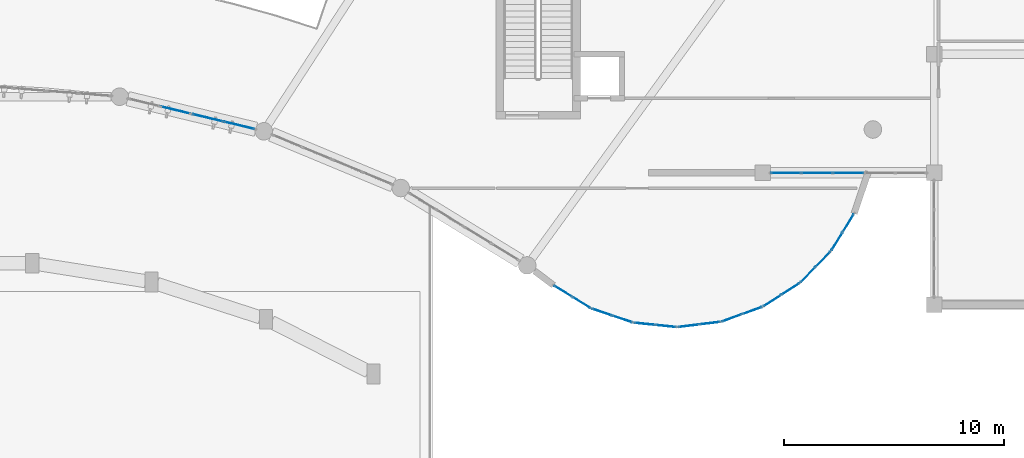
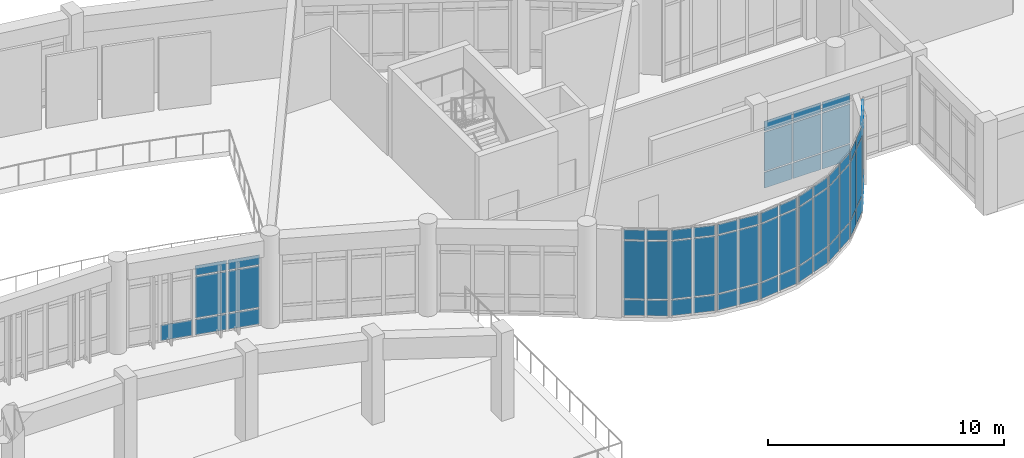
# One storey, part 41 of 65: 64 plates, 11 elements without a shape of their own.
"""IFC4 building model written with IfcOpenShell, lengths in metres."""

from ifc_helpers import new_model, si_unit, direction, frame, origin, origin_2d, place, context, subcontext, project, spatial, rectangle, extrude, material, layer, layer_set, type_object, element, aggregate, save


model = new_model("IFC4")

# Units and contexts
model_context = context("Model", 3, precision=1e-05, world=origin(), true_north=direction((0.0, 1.0)))
body_context = subcontext(model_context, "Body", "Model", "MODEL_VIEW")
ifc_project = project(units=[si_unit("LENGTHUNIT", "METRE"), si_unit("AREAUNIT", "SQUARE_METRE"), si_unit("VOLUMEUNIT", "CUBIC_METRE"), si_unit("PLANEANGLEUNIT", "RADIAN"), si_unit("MASSUNIT", "GRAM", prefix="KILO")], contexts=[model_context])

# Site, building, storey
site_placement = place(None, origin())
site = spatial("IfcSite", under=ifc_project, at=site_placement, CompositionType="ELEMENT")
building_placement = place(site_placement, origin())
building = spatial("IfcBuilding", under=site, at=building_placement, Name="Miralva Faculty of Natural Sciences", CompositionType="ELEMENT")
storey_placement = place(building_placement, frame((0.0, 0.0, 10.199951171875)))
storey = spatial("IfcBuildingStorey", under=building, at=storey_placement, Name="L02", CompositionType="ELEMENT", Elevation=10.199951171875)

# Curtain wall, plate
ifc_material = material(Name="Laminated solar-control glass", Category="glass")
ifc_layer_1 = layer(ifc_material, 0.179931640625, Name="CW-ARC-L01")
ifc_layer_set_1 = layer_set([ifc_layer_1], Name="Laminated solar-control glass")
curtain_wall_type_1 = type_object("IfcCurtainWallType", Name="CW-ARC-L01", PredefinedType="USERDEFINED", material=ifc_layer_set_1)
curtain_wall_1_placement = place(storey_placement, origin())
curtain_wall_1 = element("IfcCurtainWall", 1, at=curtain_wall_1_placement, inside=storey, type_object=curtain_wall_type_1, Name="Curtain wall CW-02 L02-71", ObjectType="UNITISED CURTAIN WALL", PredefinedType="USERDEFINED")
ifc_layer_2 = layer(ifc_material, 0.028076171875, Name="PNL-P01")
ifc_layer_set_2 = layer_set([ifc_layer_2], Name="Laminated solar-control glass")
plate_type = type_object("IfcPlateType", Name="PNL-P01", PredefinedType="CURTAIN_PANEL", material=ifc_layer_set_2)
plate_1_placement = place(storey_placement, frame((99.267333984375, 20.860595703125, 0.06494140625), z_axis=(0.0, 0.0, 1.0), x_axis=(0.972367185898, -0.233456753574, 0.0)))
plate_1 = element("IfcPlate", 2, at=plate_1_placement, type_object=plate_type, Name="CW-02 panel 2.1", PredefinedType="CURTAIN_PANEL", context=body_context, shape_type="SweptSolid", body=[
    extrude(rectangle(XDim=1.391845703125, YDim=0.028076171875, at=origin_2d()), origin(), (0.0, 0.0, 1.0), 0.802490234375),
])
aggregate(curtain_wall_1, [plate_1])

# Curtain wall, plates
curtain_wall_2_placement = place(storey_placement, origin())
curtain_wall_2 = element("IfcCurtainWall", 3, at=curtain_wall_2_placement, inside=storey, type_object=curtain_wall_type_1, Name="Curtain wall CW-02 L02-72", ObjectType="UNITISED CURTAIN WALL", PredefinedType="USERDEFINED")
plate_2_placement = place(storey_placement, frame((100.743408203125, 20.50634765625, 0.06494140625), z_axis=(0.0, 0.0, 1.0), x_axis=(0.972365393914, -0.233464217213, 0.0)))
plate_2 = element("IfcPlate", 4, at=plate_2_placement, type_object=plate_type, Name="CW-02 panel 1.1", PredefinedType="CURTAIN_PANEL", context=body_context, shape_type="SweptSolid", body=[
    extrude(rectangle(XDim=1.394287109375, YDim=0.028076171875, at=origin_2d()), origin(), (0.0, 0.0, 1.0), 0.802490234375),
])
plate_3_placement = place(storey_placement, frame((100.743408203125, 20.50634765625, 0.9326171875), z_axis=(0.0, 0.0, 1.0), x_axis=(0.972365393914, -0.233464217213, 0.0)))
plate_3 = element("IfcPlate", 5, at=plate_3_placement, type_object=plate_type, Name="CW-02 panel 1.2", PredefinedType="CURTAIN_PANEL", context=body_context, shape_type="SweptSolid", body=[
    extrude(rectangle(XDim=1.394287109375, YDim=0.028076171875, at=origin_2d()), origin(), (0.0, 0.0, 1.0), 2.139892578125),
])
plate_4_placement = place(storey_placement, frame((100.743408203125, 20.50634765625, 3.1376953125), z_axis=(0.0, 0.0, 1.0), x_axis=(0.972365393914, -0.233464217213, 0.0)))
plate_4 = element("IfcPlate", 6, at=plate_4_placement, type_object=plate_type, Name="CW-02 panel 1.3", PredefinedType="CURTAIN_PANEL", context=body_context, shape_type="SweptSolid", body=[
    extrude(rectangle(XDim=1.394287109375, YDim=0.028076171875, at=origin_2d()), origin(), (0.0, 0.0, 1.0), 0.50244140625),
])
plate_5_placement = place(storey_placement, frame((102.162353515625, 20.16552734375, 0.06494140625), z_axis=(0.0, 0.0, 1.0), x_axis=(0.972365393914, -0.233464217213, 0.0)))
plate_5 = element("IfcPlate", 7, at=plate_5_placement, type_object=plate_type, Name="CW-02 panel 2.1", PredefinedType="CURTAIN_PANEL", context=body_context, shape_type="SweptSolid", body=[
    extrude(rectangle(XDim=1.394287109375, YDim=0.028076171875, at=origin_2d()), origin(), (0.0, 0.0, 1.0), 0.802490234375),
])
plate_6_placement = place(storey_placement, frame((102.162353515625, 20.16552734375, 0.9326171875), z_axis=(0.0, 0.0, 1.0), x_axis=(0.972365393914, -0.233464217213, 0.0)))
plate_6 = element("IfcPlate", 8, at=plate_6_placement, type_object=plate_type, Name="CW-02 panel 2.2", PredefinedType="CURTAIN_PANEL", context=body_context, shape_type="SweptSolid", body=[
    extrude(rectangle(XDim=1.394287109375, YDim=0.028076171875, at=origin_2d()), origin(), (0.0, 0.0, 1.0), 2.139892578125),
])
plate_7_placement = place(storey_placement, frame((102.162353515625, 20.16552734375, 3.1376953125), z_axis=(0.0, 0.0, 1.0), x_axis=(0.972365393914, -0.233464217213, 0.0)))
plate_7 = element("IfcPlate", 9, at=plate_7_placement, type_object=plate_type, Name="CW-02 panel 2.3", PredefinedType="CURTAIN_PANEL", context=body_context, shape_type="SweptSolid", body=[
    extrude(rectangle(XDim=1.394287109375, YDim=0.028076171875, at=origin_2d()), origin(), (0.0, 0.0, 1.0), 0.50244140625),
])
aggregate(curtain_wall_2, [plate_2, plate_3, plate_4, plate_5, plate_6, plate_7])

ifc_layer_3 = layer(ifc_material, 0.179931640625, Name="CW-RND-L01")
ifc_layer_set_3 = layer_set([ifc_layer_3], Name="Laminated solar-control glass")
curtain_wall_type_2 = type_object("IfcCurtainWallType", Name="CW-RND-L01", PredefinedType="USERDEFINED", material=ifc_layer_set_3)
curtain_wall_3_placement = place(storey_placement, origin())
curtain_wall_3 = element("IfcCurtainWall", 10, at=curtain_wall_3_placement, inside=storey, type_object=curtain_wall_type_2, Name="Curtain wall CW-05 L02-101", ObjectType="UNITISED CURTAIN WALL", PredefinedType="USERDEFINED")
plate_8_placement = place(storey_placement, frame((129.37939453125, 14.8798828125, 0.06005859375), z_axis=(0.0, 0.0, 1.0), x_axis=(0.523550543884, 0.851994617353, 0.0)))
plate_8 = element("IfcPlate", 11, at=plate_8_placement, type_object=plate_type, Name="CW-05 panel 1.1", PredefinedType="CURTAIN_PANEL", context=body_context, shape_type="SweptSolid", body=[
    extrude(rectangle(XDim=0.91259765625, YDim=0.028076171875, at=origin_2d()), origin(), (0.0, 0.0, 1.0), 0.81005859375),
])
plate_9_placement = place(storey_placement, frame((129.37939453125, 14.8798828125, 0.93017578125), z_axis=(0.0, 0.0, 1.0), x_axis=(0.523550543884, 0.851994617353, 0.0)))
plate_9 = element("IfcPlate", 12, at=plate_9_placement, type_object=plate_type, Name="CW-05 panel 1.2", PredefinedType="CURTAIN_PANEL", context=body_context, shape_type="SweptSolid", body=[
    extrude(rectangle(XDim=0.91259765625, YDim=0.028076171875, at=origin_2d()), origin(), (0.0, 0.0, 1.0), 2.989990234375),
])
plate_10_placement = place(storey_placement, frame((129.37939453125, 14.8798828125, 3.97998046875), z_axis=(0.0, 0.0, 1.0), x_axis=(0.523550543884, 0.851994617353, 0.0)))
plate_10 = element("IfcPlate", 13, at=plate_10_placement, type_object=plate_type, Name="CW-05 panel 1.3", PredefinedType="CURTAIN_PANEL", context=body_context, shape_type="SweptSolid", body=[
    extrude(rectangle(XDim=0.91259765625, YDim=0.028076171875, at=origin_2d()), origin(), (0.0, 0.0, 1.0), 0.510009765625),
])
plate_11_placement = place(storey_placement, frame((129.891357421875, 15.712890625, 0.06005859375), z_axis=(0.0, 0.0, 1.0), x_axis=(0.523550543884, 0.851994617353, 0.0)))
plate_11 = element("IfcPlate", 14, at=plate_11_placement, type_object=plate_type, Name="CW-05 panel 2.1", PredefinedType="CURTAIN_PANEL", context=body_context, shape_type="SweptSolid", body=[
    extrude(rectangle(XDim=0.91259765625, YDim=0.028076171875, at=origin_2d()), origin(), (0.0, 0.0, 1.0), 0.81005859375),
])
plate_12_placement = place(storey_placement, frame((129.891357421875, 15.712890625, 0.93017578125), z_axis=(0.0, 0.0, 1.0), x_axis=(0.523550543884, 0.851994617353, 0.0)))
plate_12 = element("IfcPlate", 15, at=plate_12_placement, type_object=plate_type, Name="CW-05 panel 2.2", PredefinedType="CURTAIN_PANEL", context=body_context, shape_type="SweptSolid", body=[
    extrude(rectangle(XDim=0.91259765625, YDim=0.028076171875, at=origin_2d()), origin(), (0.0, 0.0, 1.0), 2.989990234375),
])
plate_13_placement = place(storey_placement, frame((129.891357421875, 15.712890625, 3.97998046875), z_axis=(0.0, 0.0, 1.0), x_axis=(0.523550543884, 0.851994617353, 0.0)))
plate_13 = element("IfcPlate", 16, at=plate_13_placement, type_object=plate_type, Name="CW-05 panel 2.3", PredefinedType="CURTAIN_PANEL", context=body_context, shape_type="SweptSolid", body=[
    extrude(rectangle(XDim=0.91259765625, YDim=0.028076171875, at=origin_2d()), origin(), (0.0, 0.0, 1.0), 0.510009765625),
])
aggregate(curtain_wall_3, [plate_8, plate_9, plate_10, plate_11, plate_12, plate_13])

curtain_wall_4_placement = place(storey_placement, origin())
curtain_wall_4 = element("IfcCurtainWall", 17, at=curtain_wall_4_placement, inside=storey, type_object=curtain_wall_type_2, Name="Curtain wall CW-05 L02-102", ObjectType="UNITISED CURTAIN WALL", PredefinedType="USERDEFINED")
plate_14_placement = place(storey_placement, frame((128.060546875, 13.36865234375, 0.06005859375), z_axis=(0.0, 0.0, 1.0), x_axis=(0.700018458929, 0.714124749017, 0.0)))
plate_14 = element("IfcPlate", 18, at=plate_14_placement, type_object=plate_type, Name="CW-05 panel 1.1", PredefinedType="CURTAIN_PANEL", context=body_context, shape_type="SweptSolid", body=[
    extrude(rectangle(XDim=0.91259765625, YDim=0.028076171875, at=origin_2d()), origin(), (0.0, 0.0, 1.0), 0.81005859375),
])
plate_15_placement = place(storey_placement, frame((128.060546875, 13.36865234375, 0.93017578125), z_axis=(0.0, 0.0, 1.0), x_axis=(0.700018458929, 0.714124749017, 0.0)))
plate_15 = element("IfcPlate", 19, at=plate_15_placement, type_object=plate_type, Name="CW-05 panel 1.2", PredefinedType="CURTAIN_PANEL", context=body_context, shape_type="SweptSolid", body=[
    extrude(rectangle(XDim=0.91259765625, YDim=0.028076171875, at=origin_2d()), origin(), (0.0, 0.0, 1.0), 2.989990234375),
])
plate_16_placement = place(storey_placement, frame((128.060546875, 13.36865234375, 3.97998046875), z_axis=(0.0, 0.0, 1.0), x_axis=(0.700018458929, 0.714124749017, 0.0)))
plate_16 = element("IfcPlate", 20, at=plate_16_placement, type_object=plate_type, Name="CW-05 panel 1.3", PredefinedType="CURTAIN_PANEL", context=body_context, shape_type="SweptSolid", body=[
    extrude(rectangle(XDim=0.91259765625, YDim=0.028076171875, at=origin_2d()), origin(), (0.0, 0.0, 1.0), 0.510009765625),
])
plate_17_placement = place(storey_placement, frame((128.7451171875, 14.06689453125, 0.06005859375), z_axis=(0.0, 0.0, 1.0), x_axis=(0.700018458929, 0.714124749017, 0.0)))
plate_17 = element("IfcPlate", 21, at=plate_17_placement, type_object=plate_type, Name="CW-05 panel 2.1", PredefinedType="CURTAIN_PANEL", context=body_context, shape_type="SweptSolid", body=[
    extrude(rectangle(XDim=0.91259765625, YDim=0.028076171875, at=origin_2d()), origin(), (0.0, 0.0, 1.0), 0.81005859375),
])
plate_18_placement = place(storey_placement, frame((128.7451171875, 14.06689453125, 0.93017578125), z_axis=(0.0, 0.0, 1.0), x_axis=(0.700018458929, 0.714124749017, 0.0)))
plate_18 = element("IfcPlate", 22, at=plate_18_placement, type_object=plate_type, Name="CW-05 panel 2.2", PredefinedType="CURTAIN_PANEL", context=body_context, shape_type="SweptSolid", body=[
    extrude(rectangle(XDim=0.91259765625, YDim=0.028076171875, at=origin_2d()), origin(), (0.0, 0.0, 1.0), 2.989990234375),
])
plate_19_placement = place(storey_placement, frame((128.7451171875, 14.06689453125, 3.97998046875), z_axis=(0.0, 0.0, 1.0), x_axis=(0.700018458929, 0.714124749017, 0.0)))
plate_19 = element("IfcPlate", 23, at=plate_19_placement, type_object=plate_type, Name="CW-05 panel 2.3", PredefinedType="CURTAIN_PANEL", context=body_context, shape_type="SweptSolid", body=[
    extrude(rectangle(XDim=0.91259765625, YDim=0.028076171875, at=origin_2d()), origin(), (0.0, 0.0, 1.0), 0.510009765625),
])
aggregate(curtain_wall_4, [plate_14, plate_15, plate_16, plate_17, plate_18, plate_19])

curtain_wall_5_placement = place(storey_placement, origin())
curtain_wall_5 = element("IfcCurtainWall", 24, at=curtain_wall_5_placement, inside=storey, type_object=curtain_wall_type_2, Name="Curtain wall CW-05 L02-103", ObjectType="UNITISED CURTAIN WALL", PredefinedType="USERDEFINED")
plate_20_placement = place(storey_placement, frame((126.438720703125, 12.18896484375, 0.06005859375), z_axis=(0.0, 0.0, 1.0), x_axis=(0.841379438185, 0.540444854725, 0.0)))
plate_20 = element("IfcPlate", 25, at=plate_20_placement, type_object=plate_type, Name="CW-05 panel 1.1", PredefinedType="CURTAIN_PANEL", context=body_context, shape_type="SweptSolid", body=[
    extrude(rectangle(XDim=0.91259765625, YDim=0.028076171875, at=origin_2d()), origin(), (0.0, 0.0, 1.0), 0.81005859375),
])
plate_21_placement = place(storey_placement, frame((126.438720703125, 12.18896484375, 0.93017578125), z_axis=(0.0, 0.0, 1.0), x_axis=(0.841379438185, 0.540444854725, 0.0)))
plate_21 = element("IfcPlate", 26, at=plate_21_placement, type_object=plate_type, Name="CW-05 panel 1.2", PredefinedType="CURTAIN_PANEL", context=body_context, shape_type="SweptSolid", body=[
    extrude(rectangle(XDim=0.91259765625, YDim=0.028076171875, at=origin_2d()), origin(), (0.0, 0.0, 1.0), 2.989990234375),
])
plate_22_placement = place(storey_placement, frame((126.438720703125, 12.18896484375, 3.97998046875), z_axis=(0.0, 0.0, 1.0), x_axis=(0.841379438185, 0.540444854725, 0.0)))
plate_22 = element("IfcPlate", 27, at=plate_22_placement, type_object=plate_type, Name="CW-05 panel 1.3", PredefinedType="CURTAIN_PANEL", context=body_context, shape_type="SweptSolid", body=[
    extrude(rectangle(XDim=0.91259765625, YDim=0.028076171875, at=origin_2d()), origin(), (0.0, 0.0, 1.0), 0.510009765625),
])
plate_23_placement = place(storey_placement, frame((127.26123046875, 12.71728515625, 0.06005859375), z_axis=(0.0, 0.0, 1.0), x_axis=(0.841379438185, 0.540444854725, 0.0)))
plate_23 = element("IfcPlate", 28, at=plate_23_placement, type_object=plate_type, Name="CW-05 panel 2.1", PredefinedType="CURTAIN_PANEL", context=body_context, shape_type="SweptSolid", body=[
    extrude(rectangle(XDim=0.91259765625, YDim=0.028076171875, at=origin_2d()), origin(), (0.0, 0.0, 1.0), 0.81005859375),
])
plate_24_placement = place(storey_placement, frame((127.26123046875, 12.71728515625, 0.93017578125), z_axis=(0.0, 0.0, 1.0), x_axis=(0.841379438185, 0.540444854725, 0.0)))
plate_24 = element("IfcPlate", 29, at=plate_24_placement, type_object=plate_type, Name="CW-05 panel 2.2", PredefinedType="CURTAIN_PANEL", context=body_context, shape_type="SweptSolid", body=[
    extrude(rectangle(XDim=0.91259765625, YDim=0.028076171875, at=origin_2d()), origin(), (0.0, 0.0, 1.0), 2.989990234375),
])
plate_25_placement = place(storey_placement, frame((127.26123046875, 12.71728515625, 3.97998046875), z_axis=(0.0, 0.0, 1.0), x_axis=(0.841379438185, 0.540444854725, 0.0)))
plate_25 = element("IfcPlate", 30, at=plate_25_placement, type_object=plate_type, Name="CW-05 panel 2.3", PredefinedType="CURTAIN_PANEL", context=body_context, shape_type="SweptSolid", body=[
    extrude(rectangle(XDim=0.91259765625, YDim=0.028076171875, at=origin_2d()), origin(), (0.0, 0.0, 1.0), 0.510009765625),
])
aggregate(curtain_wall_5, [plate_20, plate_21, plate_22, plate_23, plate_24, plate_25])

curtain_wall_6_placement = place(storey_placement, origin())
curtain_wall_6 = element("IfcCurtainWall", 31, at=curtain_wall_6_placement, inside=storey, type_object=curtain_wall_type_2, Name="Curtain wall CW-05 L02-104", ObjectType="UNITISED CURTAIN WALL", PredefinedType="USERDEFINED")
plate_26_placement = place(storey_placement, frame((124.5947265625, 11.399658203125, 0.06005859375), z_axis=(0.0, 0.0, 1.0), x_axis=(0.940535451088, 0.339695547876, 0.0)))
plate_26 = element("IfcPlate", 32, at=plate_26_placement, type_object=plate_type, Name="CW-05 panel 1.1", PredefinedType="CURTAIN_PANEL", context=body_context, shape_type="SweptSolid", body=[
    extrude(rectangle(XDim=0.91259765625, YDim=0.028076171875, at=origin_2d()), origin(), (0.0, 0.0, 1.0), 0.81005859375),
])
plate_27_placement = place(storey_placement, frame((124.5947265625, 11.399658203125, 0.93017578125), z_axis=(0.0, 0.0, 1.0), x_axis=(0.940535451088, 0.339695547876, 0.0)))
plate_27 = element("IfcPlate", 33, at=plate_27_placement, type_object=plate_type, Name="CW-05 panel 1.2", PredefinedType="CURTAIN_PANEL", context=body_context, shape_type="SweptSolid", body=[
    extrude(rectangle(XDim=0.91259765625, YDim=0.028076171875, at=origin_2d()), origin(), (0.0, 0.0, 1.0), 2.989990234375),
])
plate_28_placement = place(storey_placement, frame((124.5947265625, 11.399658203125, 3.97998046875), z_axis=(0.0, 0.0, 1.0), x_axis=(0.940535451088, 0.339695547876, 0.0)))
plate_28 = element("IfcPlate", 34, at=plate_28_placement, type_object=plate_type, Name="CW-05 panel 1.3", PredefinedType="CURTAIN_PANEL", context=body_context, shape_type="SweptSolid", body=[
    extrude(rectangle(XDim=0.91259765625, YDim=0.028076171875, at=origin_2d()), origin(), (0.0, 0.0, 1.0), 0.510009765625),
])
plate_29_placement = place(storey_placement, frame((125.514404296875, 11.731689453125, 0.06005859375), z_axis=(0.0, 0.0, 1.0), x_axis=(0.940535451088, 0.339695547876, 0.0)))
plate_29 = element("IfcPlate", 35, at=plate_29_placement, type_object=plate_type, Name="CW-05 panel 2.1", PredefinedType="CURTAIN_PANEL", context=body_context, shape_type="SweptSolid", body=[
    extrude(rectangle(XDim=0.91259765625, YDim=0.028076171875, at=origin_2d()), origin(), (0.0, 0.0, 1.0), 0.81005859375),
])
plate_30_placement = place(storey_placement, frame((125.514404296875, 11.731689453125, 0.93017578125), z_axis=(0.0, 0.0, 1.0), x_axis=(0.940535451088, 0.339695547876, 0.0)))
plate_30 = element("IfcPlate", 36, at=plate_30_placement, type_object=plate_type, Name="CW-05 panel 2.2", PredefinedType="CURTAIN_PANEL", context=body_context, shape_type="SweptSolid", body=[
    extrude(rectangle(XDim=0.91259765625, YDim=0.028076171875, at=origin_2d()), origin(), (0.0, 0.0, 1.0), 2.989990234375),
])
plate_31_placement = place(storey_placement, frame((125.514404296875, 11.731689453125, 3.97998046875), z_axis=(0.0, 0.0, 1.0), x_axis=(0.940535451088, 0.339695547876, 0.0)))
plate_31 = element("IfcPlate", 37, at=plate_31_placement, type_object=plate_type, Name="CW-05 panel 2.3", PredefinedType="CURTAIN_PANEL", context=body_context, shape_type="SweptSolid", body=[
    extrude(rectangle(XDim=0.91259765625, YDim=0.028076171875, at=origin_2d()), origin(), (0.0, 0.0, 1.0), 0.510009765625),
])
aggregate(curtain_wall_6, [plate_26, plate_27, plate_28, plate_29, plate_30, plate_31])

curtain_wall_7_placement = place(storey_placement, origin())
curtain_wall_7 = element("IfcCurtainWall", 38, at=curtain_wall_7_placement, inside=storey, type_object=curtain_wall_type_2, Name="Curtain wall CW-05 L02-105", ObjectType="UNITISED CURTAIN WALL", PredefinedType="USERDEFINED")
plate_32_placement = place(storey_placement, frame((122.62158203125, 11.04052734375, 0.06005859375), z_axis=(0.0, 0.0, 1.0), x_axis=(0.99254734183, 0.121859649701, 0.0)))
plate_32 = element("IfcPlate", 39, at=plate_32_placement, type_object=plate_type, Name="CW-05 panel 1.1", PredefinedType="CURTAIN_PANEL", context=body_context, shape_type="SweptSolid", body=[
    extrude(rectangle(XDim=0.91259765625, YDim=0.028076171875, at=origin_2d()), origin(), (0.0, 0.0, 1.0), 0.81005859375),
])
plate_33_placement = place(storey_placement, frame((122.62158203125, 11.04052734375, 0.93017578125), z_axis=(0.0, 0.0, 1.0), x_axis=(0.99254734183, 0.121859649701, 0.0)))
plate_33 = element("IfcPlate", 40, at=plate_33_placement, type_object=plate_type, Name="CW-05 panel 1.2", PredefinedType="CURTAIN_PANEL", context=body_context, shape_type="SweptSolid", body=[
    extrude(rectangle(XDim=0.91259765625, YDim=0.028076171875, at=origin_2d()), origin(), (0.0, 0.0, 1.0), 2.989990234375),
])
plate_34_placement = place(storey_placement, frame((122.62158203125, 11.04052734375, 3.97998046875), z_axis=(0.0, 0.0, 1.0), x_axis=(0.99254734183, 0.121859649701, 0.0)))
plate_34 = element("IfcPlate", 41, at=plate_34_placement, type_object=plate_type, Name="CW-05 panel 1.3", PredefinedType="CURTAIN_PANEL", context=body_context, shape_type="SweptSolid", body=[
    extrude(rectangle(XDim=0.91259765625, YDim=0.028076171875, at=origin_2d()), origin(), (0.0, 0.0, 1.0), 0.510009765625),
])
plate_35_placement = place(storey_placement, frame((123.592041015625, 11.15966796875, 0.06005859375), z_axis=(0.0, 0.0, 1.0), x_axis=(0.99254734183, 0.121859649701, 0.0)))
plate_35 = element("IfcPlate", 42, at=plate_35_placement, type_object=plate_type, Name="CW-05 panel 2.1", PredefinedType="CURTAIN_PANEL", context=body_context, shape_type="SweptSolid", body=[
    extrude(rectangle(XDim=0.91259765625, YDim=0.028076171875, at=origin_2d()), origin(), (0.0, 0.0, 1.0), 0.81005859375),
])
plate_36_placement = place(storey_placement, frame((123.592041015625, 11.15966796875, 0.93017578125), z_axis=(0.0, 0.0, 1.0), x_axis=(0.99254734183, 0.121859649701, 0.0)))
plate_36 = element("IfcPlate", 43, at=plate_36_placement, type_object=plate_type, Name="CW-05 panel 2.2", PredefinedType="CURTAIN_PANEL", context=body_context, shape_type="SweptSolid", body=[
    extrude(rectangle(XDim=0.91259765625, YDim=0.028076171875, at=origin_2d()), origin(), (0.0, 0.0, 1.0), 2.989990234375),
])
plate_37_placement = place(storey_placement, frame((123.592041015625, 11.15966796875, 3.97998046875), z_axis=(0.0, 0.0, 1.0), x_axis=(0.99254734183, 0.121859649701, 0.0)))
plate_37 = element("IfcPlate", 44, at=plate_37_placement, type_object=plate_type, Name="CW-05 panel 2.3", PredefinedType="CURTAIN_PANEL", context=body_context, shape_type="SweptSolid", body=[
    extrude(rectangle(XDim=0.91259765625, YDim=0.028076171875, at=origin_2d()), origin(), (0.0, 0.0, 1.0), 0.510009765625),
])
aggregate(curtain_wall_7, [plate_32, plate_33, plate_34, plate_35, plate_36, plate_37])

curtain_wall_8_placement = place(storey_placement, origin())
curtain_wall_8 = element("IfcCurtainWall", 45, at=curtain_wall_8_placement, inside=storey, type_object=curtain_wall_type_2, Name="Curtain wall CW-05 L02-106", ObjectType="UNITISED CURTAIN WALL", PredefinedType="USERDEFINED")
plate_38_placement = place(storey_placement, frame((120.617919921875, 11.12939453125, 0.06005859375), z_axis=(0.0, 0.0, 1.0), x_axis=(0.994778604482, -0.102056494477, 0.0)))
plate_38 = element("IfcPlate", 46, at=plate_38_placement, type_object=plate_type, Name="CW-05 panel 1.1", PredefinedType="CURTAIN_PANEL", context=body_context, shape_type="SweptSolid", body=[
    extrude(rectangle(XDim=0.912841796875, YDim=0.028076171875, at=origin_2d()), origin(), (0.0, 0.0, 1.0), 0.81005859375),
])
plate_39_placement = place(storey_placement, frame((120.617919921875, 11.12939453125, 0.93017578125), z_axis=(0.0, 0.0, 1.0), x_axis=(0.994778604482, -0.102056494477, 0.0)))
plate_39 = element("IfcPlate", 47, at=plate_39_placement, type_object=plate_type, Name="CW-05 panel 1.2", PredefinedType="CURTAIN_PANEL", context=body_context, shape_type="SweptSolid", body=[
    extrude(rectangle(XDim=0.912841796875, YDim=0.028076171875, at=origin_2d()), origin(), (0.0, 0.0, 1.0), 2.989990234375),
])
plate_40_placement = place(storey_placement, frame((120.617919921875, 11.12939453125, 3.97998046875), z_axis=(0.0, 0.0, 1.0), x_axis=(0.994778604482, -0.102056494477, 0.0)))
plate_40 = element("IfcPlate", 48, at=plate_40_placement, type_object=plate_type, Name="CW-05 panel 1.3", PredefinedType="CURTAIN_PANEL", context=body_context, shape_type="SweptSolid", body=[
    extrude(rectangle(XDim=0.912841796875, YDim=0.028076171875, at=origin_2d()), origin(), (0.0, 0.0, 1.0), 0.510009765625),
])
plate_41_placement = place(storey_placement, frame((121.590576171875, 11.02978515625, 0.06005859375), z_axis=(0.0, 0.0, 1.0), x_axis=(0.994778604482, -0.102056494477, 0.0)))
plate_41 = element("IfcPlate", 49, at=plate_41_placement, type_object=plate_type, Name="CW-05 panel 2.1", PredefinedType="CURTAIN_PANEL", context=body_context, shape_type="SweptSolid", body=[
    extrude(rectangle(XDim=0.912841796875, YDim=0.028076171875, at=origin_2d()), origin(), (0.0, 0.0, 1.0), 0.81005859375),
])
plate_42_placement = place(storey_placement, frame((121.590576171875, 11.02978515625, 0.93017578125), z_axis=(0.0, 0.0, 1.0), x_axis=(0.994778604482, -0.102056494477, 0.0)))
plate_42 = element("IfcPlate", 50, at=plate_42_placement, type_object=plate_type, Name="CW-05 panel 2.2", PredefinedType="CURTAIN_PANEL", context=body_context, shape_type="SweptSolid", body=[
    extrude(rectangle(XDim=0.912841796875, YDim=0.028076171875, at=origin_2d()), origin(), (0.0, 0.0, 1.0), 2.989990234375),
])
plate_43_placement = place(storey_placement, frame((121.590576171875, 11.02978515625, 3.97998046875), z_axis=(0.0, 0.0, 1.0), x_axis=(0.994778604482, -0.102056494477, 0.0)))
plate_43 = element("IfcPlate", 51, at=plate_43_placement, type_object=plate_type, Name="CW-05 panel 2.3", PredefinedType="CURTAIN_PANEL", context=body_context, shape_type="SweptSolid", body=[
    extrude(rectangle(XDim=0.912841796875, YDim=0.028076171875, at=origin_2d()), origin(), (0.0, 0.0, 1.0), 0.510009765625),
])
aggregate(curtain_wall_8, [plate_38, plate_39, plate_40, plate_41, plate_42, plate_43])

curtain_wall_9_placement = place(storey_placement, origin())
curtain_wall_9 = element("IfcCurtainWall", 52, at=curtain_wall_9_placement, inside=storey, type_object=curtain_wall_type_2, Name="Curtain wall CW-05 L02-107", ObjectType="UNITISED CURTAIN WALL", PredefinedType="USERDEFINED")
plate_44_placement = place(storey_placement, frame((118.684326171875, 11.662109375, 0.06005859375), z_axis=(0.0, 0.0, 1.0), x_axis=(0.947132688672, -0.320842126361, 0.0)))
plate_44 = element("IfcPlate", 53, at=plate_44_placement, type_object=plate_type, Name="CW-05 panel 1.1", PredefinedType="CURTAIN_PANEL", context=body_context, shape_type="SweptSolid", body=[
    extrude(rectangle(XDim=0.91259765625, YDim=0.028076171875, at=origin_2d()), origin(), (0.0, 0.0, 1.0), 0.81005859375),
])
plate_45_placement = place(storey_placement, frame((118.684326171875, 11.662109375, 0.93017578125), z_axis=(0.0, 0.0, 1.0), x_axis=(0.947132688672, -0.320842126361, 0.0)))
plate_45 = element("IfcPlate", 54, at=plate_45_placement, type_object=plate_type, Name="CW-05 panel 1.2", PredefinedType="CURTAIN_PANEL", context=body_context, shape_type="SweptSolid", body=[
    extrude(rectangle(XDim=0.91259765625, YDim=0.028076171875, at=origin_2d()), origin(), (0.0, 0.0, 1.0), 2.989990234375),
])
plate_46_placement = place(storey_placement, frame((118.684326171875, 11.662109375, 3.97998046875), z_axis=(0.0, 0.0, 1.0), x_axis=(0.947132688672, -0.320842126361, 0.0)))
plate_46 = element("IfcPlate", 55, at=plate_46_placement, type_object=plate_type, Name="CW-05 panel 1.3", PredefinedType="CURTAIN_PANEL", context=body_context, shape_type="SweptSolid", body=[
    extrude(rectangle(XDim=0.91259765625, YDim=0.028076171875, at=origin_2d()), origin(), (0.0, 0.0, 1.0), 0.510009765625),
])
plate_47_placement = place(storey_placement, frame((119.6103515625, 11.348388671875, 0.06005859375), z_axis=(0.0, 0.0, 1.0), x_axis=(0.947132688672, -0.320842126361, 0.0)))
plate_47 = element("IfcPlate", 56, at=plate_47_placement, type_object=plate_type, Name="CW-05 panel 2.1", PredefinedType="CURTAIN_PANEL", context=body_context, shape_type="SweptSolid", body=[
    extrude(rectangle(XDim=0.91259765625, YDim=0.028076171875, at=origin_2d()), origin(), (0.0, 0.0, 1.0), 0.81005859375),
])
plate_48_placement = place(storey_placement, frame((119.6103515625, 11.348388671875, 0.93017578125), z_axis=(0.0, 0.0, 1.0), x_axis=(0.947132688672, -0.320842126361, 0.0)))
plate_48 = element("IfcPlate", 57, at=plate_48_placement, type_object=plate_type, Name="CW-05 panel 2.2", PredefinedType="CURTAIN_PANEL", context=body_context, shape_type="SweptSolid", body=[
    extrude(rectangle(XDim=0.91259765625, YDim=0.028076171875, at=origin_2d()), origin(), (0.0, 0.0, 1.0), 2.989990234375),
])
plate_49_placement = place(storey_placement, frame((119.6103515625, 11.348388671875, 3.97998046875), z_axis=(0.0, 0.0, 1.0), x_axis=(0.947132688672, -0.320842126361, 0.0)))
plate_49 = element("IfcPlate", 58, at=plate_49_placement, type_object=plate_type, Name="CW-05 panel 2.3", PredefinedType="CURTAIN_PANEL", context=body_context, shape_type="SweptSolid", body=[
    extrude(rectangle(XDim=0.91259765625, YDim=0.028076171875, at=origin_2d()), origin(), (0.0, 0.0, 1.0), 0.510009765625),
])
aggregate(curtain_wall_9, [plate_44, plate_45, plate_46, plate_47, plate_48, plate_49])

curtain_wall_10_placement = place(storey_placement, origin())
curtain_wall_10 = element("IfcCurtainWall", 59, at=curtain_wall_10_placement, inside=storey, type_object=curtain_wall_type_2, Name="Curtain wall CW-05 L02-108", ObjectType="UNITISED CURTAIN WALL", PredefinedType="USERDEFINED")
plate_50_placement = place(storey_placement, frame((116.914306640625, 12.613525390625, 0.06005859375), z_axis=(0.0, 0.0, 1.0), x_axis=(0.852003943693, -0.523535366458, 0.0)))
plate_50 = element("IfcPlate", 60, at=plate_50_placement, type_object=plate_type, Name="CW-05 panel 1.1", PredefinedType="CURTAIN_PANEL", context=body_context, shape_type="SweptSolid", body=[
    extrude(rectangle(XDim=0.915283203125, YDim=0.028076171875, at=origin_2d()), origin(), (0.0, 0.0, 1.0), 0.81005859375),
])
plate_51_placement = place(storey_placement, frame((116.914306640625, 12.613525390625, 0.93017578125), z_axis=(0.0, 0.0, 1.0), x_axis=(0.852003943693, -0.523535366458, 0.0)))
plate_51 = element("IfcPlate", 61, at=plate_51_placement, type_object=plate_type, Name="CW-05 panel 1.2", PredefinedType="CURTAIN_PANEL", context=body_context, shape_type="SweptSolid", body=[
    extrude(rectangle(XDim=0.915283203125, YDim=0.028076171875, at=origin_2d()), origin(), (0.0, 0.0, 1.0), 2.989990234375),
])
plate_52_placement = place(storey_placement, frame((116.914306640625, 12.613525390625, 3.97998046875), z_axis=(0.0, 0.0, 1.0), x_axis=(0.852003943693, -0.523535366458, 0.0)))
plate_52 = element("IfcPlate", 62, at=plate_52_placement, type_object=plate_type, Name="CW-05 panel 1.3", PredefinedType="CURTAIN_PANEL", context=body_context, shape_type="SweptSolid", body=[
    extrude(rectangle(XDim=0.915283203125, YDim=0.028076171875, at=origin_2d()), origin(), (0.0, 0.0, 1.0), 0.510009765625),
])
plate_53_placement = place(storey_placement, frame((117.74951171875, 12.100341796875, 0.06005859375), z_axis=(0.0, 0.0, 1.0), x_axis=(0.852003943693, -0.523535366458, 0.0)))
plate_53 = element("IfcPlate", 63, at=plate_53_placement, type_object=plate_type, Name="CW-05 panel 2.1", PredefinedType="CURTAIN_PANEL", context=body_context, shape_type="SweptSolid", body=[
    extrude(rectangle(XDim=0.915283203125, YDim=0.028076171875, at=origin_2d()), origin(), (0.0, 0.0, 1.0), 0.81005859375),
])
plate_54_placement = place(storey_placement, frame((117.74951171875, 12.100341796875, 0.93017578125), z_axis=(0.0, 0.0, 1.0), x_axis=(0.852003943693, -0.523535366458, 0.0)))
plate_54 = element("IfcPlate", 64, at=plate_54_placement, type_object=plate_type, Name="CW-05 panel 2.2", PredefinedType="CURTAIN_PANEL", context=body_context, shape_type="SweptSolid", body=[
    extrude(rectangle(XDim=0.915283203125, YDim=0.028076171875, at=origin_2d()), origin(), (0.0, 0.0, 1.0), 2.989990234375),
])
plate_55_placement = place(storey_placement, frame((117.74951171875, 12.100341796875, 3.97998046875), z_axis=(0.0, 0.0, 1.0), x_axis=(0.852003943693, -0.523535366458, 0.0)))
plate_55 = element("IfcPlate", 65, at=plate_55_placement, type_object=plate_type, Name="CW-05 panel 2.3", PredefinedType="CURTAIN_PANEL", context=body_context, shape_type="SweptSolid", body=[
    extrude(rectangle(XDim=0.915283203125, YDim=0.028076171875, at=origin_2d()), origin(), (0.0, 0.0, 1.0), 0.510009765625),
])
aggregate(curtain_wall_10, [plate_50, plate_51, plate_52, plate_53, plate_54, plate_55])

ifc_layer_4 = layer(ifc_material, 0.179931640625, Name="CW-COM-L01")
ifc_layer_set_4 = layer_set([ifc_layer_4], Name="Laminated solar-control glass")
curtain_wall_type_3 = type_object("IfcCurtainWallType", Name="CW-COM-L01", PredefinedType="USERDEFINED", material=ifc_layer_set_4)
curtain_wall_11_placement = place(storey_placement, origin())
curtain_wall_11 = element("IfcCurtainWall", 66, at=curtain_wall_11_placement, inside=storey, type_object=curtain_wall_type_3, Name="Curtain wall CW-10 L02-296", ObjectType="UNITISED CURTAIN WALL", PredefinedType="USERDEFINED")
plate_56_placement = place(storey_placement, frame((127.06298828125, 18.0, 0.06005859375), z_axis=(0.0, 0.0, 1.0), x_axis=(1.0, 0.0, 0.0)))
plate_56 = element("IfcPlate", 67, at=plate_56_placement, type_object=plate_type, Name="CW-10 panel 1.1", PredefinedType="CURTAIN_PANEL", context=body_context, shape_type="SweptSolid", body=[
    extrude(rectangle(XDim=1.3359375, YDim=0.028076171875, at=origin_2d()), origin(), (0.0, 0.0, 1.0), 0.81005859375),
])
plate_57_placement = place(storey_placement, frame((127.06298828125, 18.0, 0.93017578125), z_axis=(0.0, 0.0, 1.0), x_axis=(1.0, 0.0, 0.0)))
plate_57 = element("IfcPlate", 68, at=plate_57_placement, type_object=plate_type, Name="CW-10 panel 1.2", PredefinedType="CURTAIN_PANEL", context=body_context, shape_type="SweptSolid", body=[
    extrude(rectangle(XDim=1.3359375, YDim=0.028076171875, at=origin_2d()), origin(), (0.0, 0.0, 1.0), 2.014892578125),
])
plate_58_placement = place(storey_placement, frame((127.06298828125, 18.0, 3.0048828125), z_axis=(0.0, 0.0, 1.0), x_axis=(1.0, 0.0, 0.0)))
plate_58 = element("IfcPlate", 69, at=plate_58_placement, type_object=plate_type, Name="CW-10 panel 1.3", PredefinedType="CURTAIN_PANEL", context=body_context, shape_type="SweptSolid", body=[
    extrude(rectangle(XDim=1.3359375, YDim=0.028076171875, at=origin_2d()), origin(), (0.0, 0.0, 1.0), 0.510009765625),
])
plate_59_placement = place(storey_placement, frame((128.47412109375, 18.0, 0.06005859375), z_axis=(0.0, 0.0, 1.0), x_axis=(1.0, 0.0, 0.0)))
plate_59 = element("IfcPlate", 70, at=plate_59_placement, type_object=plate_type, Name="CW-10 panel 2.1", PredefinedType="CURTAIN_PANEL", context=body_context, shape_type="SweptSolid", body=[
    extrude(rectangle(XDim=1.365966796875, YDim=0.028076171875, at=origin_2d()), origin(), (0.0, 0.0, 1.0), 0.81005859375),
])
plate_60_placement = place(storey_placement, frame((128.47412109375, 18.0, 0.93017578125), z_axis=(0.0, 0.0, 1.0), x_axis=(1.0, 0.0, 0.0)))
plate_60 = element("IfcPlate", 71, at=plate_60_placement, type_object=plate_type, Name="CW-10 panel 2.2", PredefinedType="CURTAIN_PANEL", context=body_context, shape_type="SweptSolid", body=[
    extrude(rectangle(XDim=1.365966796875, YDim=0.028076171875, at=origin_2d()), origin(), (0.0, 0.0, 1.0), 2.014892578125),
])
plate_61_placement = place(storey_placement, frame((128.47412109375, 18.0, 3.0048828125), z_axis=(0.0, 0.0, 1.0), x_axis=(1.0, 0.0, 0.0)))
plate_61 = element("IfcPlate", 72, at=plate_61_placement, type_object=plate_type, Name="CW-10 panel 2.3", PredefinedType="CURTAIN_PANEL", context=body_context, shape_type="SweptSolid", body=[
    extrude(rectangle(XDim=1.365966796875, YDim=0.028076171875, at=origin_2d()), origin(), (0.0, 0.0, 1.0), 0.510009765625),
])
plate_62_placement = place(storey_placement, frame((129.89990234375, 18.0, 0.06005859375), z_axis=(0.0, 0.0, 1.0), x_axis=(1.0, 0.0, 0.0)))
plate_62 = element("IfcPlate", 73, at=plate_62_placement, type_object=plate_type, Name="CW-10 panel 3.1", PredefinedType="CURTAIN_PANEL", context=body_context, shape_type="SweptSolid", body=[
    extrude(rectangle(XDim=1.365966796875, YDim=0.028076171875, at=origin_2d()), origin(), (0.0, 0.0, 1.0), 0.81005859375),
])
plate_63_placement = place(storey_placement, frame((129.89990234375, 18.0, 0.93017578125), z_axis=(0.0, 0.0, 1.0), x_axis=(1.0, 0.0, 0.0)))
plate_63 = element("IfcPlate", 74, at=plate_63_placement, type_object=plate_type, Name="CW-10 panel 3.2", PredefinedType="CURTAIN_PANEL", context=body_context, shape_type="SweptSolid", body=[
    extrude(rectangle(XDim=1.365966796875, YDim=0.028076171875, at=origin_2d()), origin(), (0.0, 0.0, 1.0), 2.014892578125),
])
plate_64_placement = place(storey_placement, frame((129.89990234375, 18.0, 3.0048828125), z_axis=(0.0, 0.0, 1.0), x_axis=(1.0, 0.0, 0.0)))
plate_64 = element("IfcPlate", 75, at=plate_64_placement, type_object=plate_type, Name="CW-10 panel 3.3", PredefinedType="CURTAIN_PANEL", context=body_context, shape_type="SweptSolid", body=[
    extrude(rectangle(XDim=1.365966796875, YDim=0.028076171875, at=origin_2d()), origin(), (0.0, 0.0, 1.0), 0.510009765625),
])
aggregate(curtain_wall_11, [plate_56, plate_57, plate_58, plate_59, plate_60, plate_61, plate_62, plate_63, plate_64])

save(model, "model.ifc")
